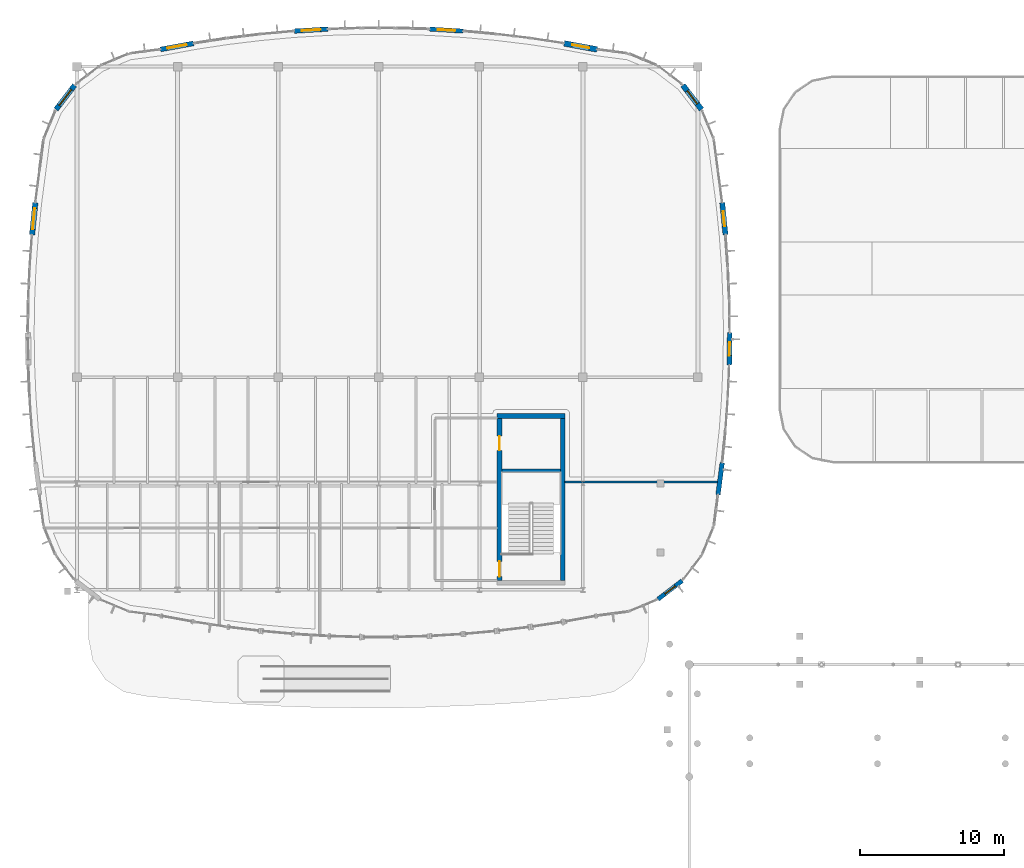
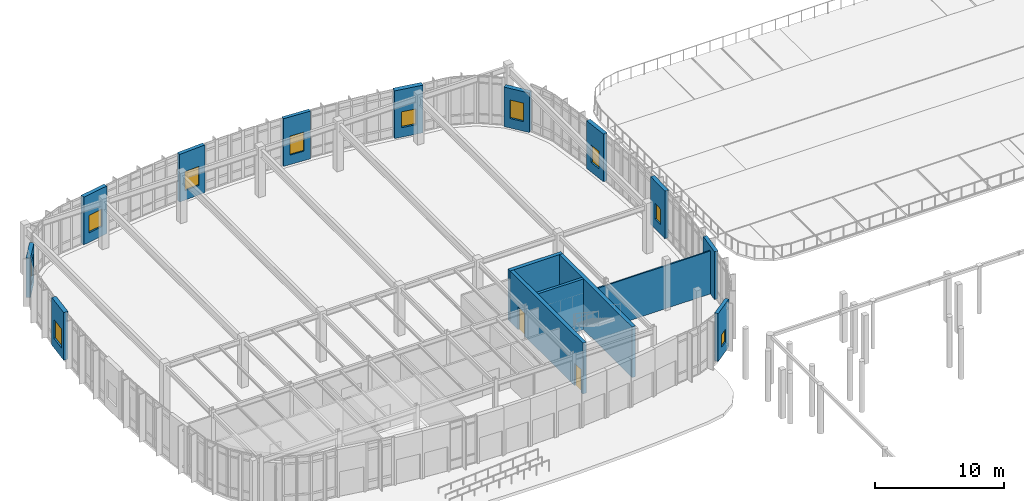
# One storey, part 92 of 120: 16 walls, 10 windows, 2 doors, 12 openings.
"""IFC4 building model written with IfcOpenShell, lengths in metres."""

from ifc_helpers import new_model, si_unit, direction, frame, frame_2d, origin, place, context, subcontext, project, spatial, rectangle, extrude, material, layer, layer_set, type_object, element, fill, save


model = new_model("IFC4")

# Units and contexts
model_context = context("Model", 3, precision=1e-05, world=origin(), true_north=direction((0.0, 1.0)))
body_context = subcontext(model_context, "Body", "Model", "MODEL_VIEW")
ifc_project = project(units=[si_unit("LENGTHUNIT", "METRE"), si_unit("AREAUNIT", "SQUARE_METRE"), si_unit("VOLUMEUNIT", "CUBIC_METRE"), si_unit("PLANEANGLEUNIT", "RADIAN"), si_unit("MASSUNIT", "GRAM", prefix="KILO")], contexts=[model_context])

# Site, building, storey
site_placement = place(None, origin())
site = spatial("IfcSite", under=ifc_project, at=site_placement, CompositionType="ELEMENT")
building_placement = place(site_placement, origin())
building = spatial("IfcBuilding", under=site, at=building_placement, Name="Corveleigh Park Community Centre", CompositionType="ELEMENT")
storey_placement = place(building_placement, origin())
storey = spatial("IfcBuildingStorey", under=building, at=storey_placement, Name="L00", CompositionType="ELEMENT", Elevation=0.0)

# Wall, opening, window
ifc_material_1 = material(Name="Precast concrete C40/50", Category="concrete")
ifc_layer_1 = layer(ifc_material_1, 0.300048828125, Name="Precast concrete C40/50", Category="concrete")
ifc_layer_set_1 = layer_set([ifc_layer_1], Name="Precast concrete C40/50")
wall_type_1 = type_object("IfcWallType", Name="WL-EXT-300", PredefinedType="STANDARD", material=ifc_layer_set_1)
wall_1_placement = place(storey_placement, frame((53.31494140625, 78.64111328125, 0.0), z_axis=(0.0, 0.0, 1.0), x_axis=(-0.793266846185, -0.608874133745, 0.0)))
wall_1 = element("IfcWall", 1, at=wall_1_placement, inside=storey, type_object=wall_type_1, Name="V2 L00 Precast Facade Wall", PredefinedType="STANDARD", context=body_context, shape_type="SweptSolid", body=[
    extrude(rectangle(XDim=2.13037109375, YDim=0.300048828125, at=frame_2d((1.065185546875, 0.0))), origin(), (0.0, 0.0, 1.0), 4.527099609375),
])
opening_1_placement = place(wall_1_placement, frame((0.614990234375, 0.0, 0.89990234375)))
opening_1 = element("IfcOpeningElement", 2, at=opening_1_placement, cuts=wall_1, Name="Opening W01", PredefinedType="OPENING", context=body_context, shape_type="SweptSolid", body=[
    extrude(rectangle(XDim=0.89990234375, YDim=1.199951171875, at=frame_2d((0.449951171875, 0.60009765625))), frame((0.0, 0.159912109375, 0.0), z_axis=(0.0, -1.0, 0.0), x_axis=(1.0, 0.0, 0.0)), (0.0, 0.0, 1.0), 0.320068359375),
])
ifc_material_2 = material(Name="Low-E double glazing", Category="glass")
window_type_1 = type_object("IfcWindowType", Name="WIN-EXT-0900x1200", PartitioningType="SINGLE_PANEL", PredefinedType="WINDOW", material=ifc_material_2)
window_1_placement = place(opening_1_placement, origin())
window_1 = element("IfcWindow", 3, at=window_1_placement, inside=storey, type_object=window_type_1, Name="V2 L00 Window 1", OverallHeight=1.199951171875, OverallWidth=0.89990234375, PartitioningType="SINGLE_PANEL", PredefinedType="WINDOW", context=body_context, shape_type="SweptSolid", body=[
    extrude(rectangle(XDim=0.89990234375, YDim=1.199951171875, at=frame_2d((0.449951171875, 0.60009765625))), frame((0.0, 0.030029296875, 0.0), z_axis=(0.0, -1.0, 0.0), x_axis=(1.0, 0.0, 0.0)), (0.0, 0.0, 1.0), 0.06005859375),
])
fill(opening_1, window_1)

wall_2_placement = place(storey_placement, frame((35.738037109375, 117.01806640625, 0.0), z_axis=(0.0, 0.0, 1.0), x_axis=(0.998197838409, -0.06000896096, 0.0)))
wall_2 = element("IfcWall", 4, at=wall_2_placement, inside=storey, type_object=wall_type_1, Name="V2 L00 Precast Facade Wall", PredefinedType="STANDARD", context=body_context, shape_type="SweptSolid", body=[
    extrude(rectangle(XDim=2.335205078125, YDim=0.300048828125, at=frame_2d((1.16748046875, 0.0))), origin(), (0.0, 0.0, 1.0), 4.511962890625),
])
opening_2_placement = place(wall_2_placement, frame((0.568115234375, 0.0, 0.89990234375)))
opening_2 = element("IfcOpeningElement", 5, at=opening_2_placement, cuts=wall_2, Name="Opening W06", PredefinedType="OPENING", context=body_context, shape_type="SweptSolid", body=[
    extrude(rectangle(XDim=1.199951171875, YDim=1.800048828125, at=frame_2d((0.60009765625, 0.89990234375))), frame((0.0, 0.159912109375, 0.0), z_axis=(0.0, -1.0, 0.0), x_axis=(1.0, 0.0, 0.0)), (0.0, 0.0, 1.0), 0.320068359375),
])
window_type_2 = type_object("IfcWindowType", Name="WIN-EXT-1200x1800", PartitioningType="SINGLE_PANEL", PredefinedType="WINDOW", material=ifc_material_2)
window_2_placement = place(opening_2_placement, origin())
window_2 = element("IfcWindow", 6, at=window_2_placement, inside=storey, type_object=window_type_2, Name="V2 L00 Window 6", OverallHeight=1.800048828125, OverallWidth=1.199951171875, PartitioningType="SINGLE_PANEL", PredefinedType="WINDOW", context=body_context, shape_type="SweptSolid", body=[
    extrude(rectangle(XDim=1.199951171875, YDim=1.800048828125, at=frame_2d((0.60009765625, 0.89990234375))), frame((0.0, 0.030029296875, 0.0), z_axis=(0.0, -1.0, 0.0), x_axis=(1.0, 0.0, 0.0)), (0.0, 0.0, 1.0), 0.06005859375),
])
fill(opening_2, window_2)

# Wall
ifc_layer_2 = layer(ifc_material_1, 0.320068359375, Name="Precast concrete C40/50", Category="concrete")
ifc_layer_set_2 = layer_set([ifc_layer_2], Name="Precast concrete C40/50")
wall_type_2 = type_object("IfcWallType", Name="WL-EXT-320", PredefinedType="STANDARD", material=ifc_layer_set_2)
wall_3_placement = place(storey_placement, frame((56.093994140625, 86.840087890625, 0.0), z_axis=(0.0, 0.0, 1.0), x_axis=(-0.130020067216, -0.991511362578, 0.0)))
element("IfcWall", 7, at=wall_3_placement, inside=storey, type_object=wall_type_2, Name="V2 L00 Precast Facade Wall", PredefinedType="STANDARD", context=body_context, shape_type="SweptSolid", body=[
    extrude(rectangle(XDim=2.253173828125, YDim=0.320068359375, at=frame_2d((1.12646484375, 0.0))), origin(), (0.0, 0.0, 1.0), 4.511962890625),
])

# Wall, opening, window
wall_4_placement = place(storey_placement, frame((26.3310546875, 116.8779296875, 0.0), z_axis=(0.0, 0.0, 1.0), x_axis=(0.998197838409, 0.06000896096, 0.0)))
wall_4 = element("IfcWall", 8, at=wall_4_placement, inside=storey, type_object=wall_type_2, Name="V2 L00 Precast Facade Wall", PredefinedType="STANDARD", context=body_context, shape_type="SweptSolid", body=[
    extrude(rectangle(XDim=2.335205078125, YDim=0.320068359375, at=frame_2d((1.16748046875, 0.0))), origin(), (0.0, 0.0, 1.0), 4.511962890625),
])
opening_3_placement = place(wall_4_placement, frame((0.51708984375, 0.0, 0.89990234375)))
opening_3 = element("IfcOpeningElement", 9, at=opening_3_placement, cuts=wall_4, Name="Opening W07", PredefinedType="OPENING", context=body_context, shape_type="SweptSolid", body=[
    extrude(rectangle(XDim=1.300048828125, YDim=1.800048828125, at=frame_2d((0.64990234375, 0.89990234375))), frame((0.0, 0.169921875, 0.0), z_axis=(0.0, -1.0, 0.0), x_axis=(1.0, 0.0, 0.0)), (0.0, 0.0, 1.0), 0.340087890625),
])
window_type_3 = type_object("IfcWindowType", Name="WIN-EXT-1300x1800", PartitioningType="SINGLE_PANEL", PredefinedType="WINDOW", material=ifc_material_2)
window_3_placement = place(opening_3_placement, origin())
window_3 = element("IfcWindow", 10, at=window_3_placement, inside=storey, type_object=window_type_3, Name="V2 L00 Window 7", OverallHeight=1.800048828125, OverallWidth=1.300048828125, PartitioningType="SINGLE_PANEL", PredefinedType="WINDOW", context=body_context, shape_type="SweptSolid", body=[
    extrude(rectangle(XDim=1.300048828125, YDim=1.800048828125, at=frame_2d((0.64990234375, 0.89990234375))), frame((0.0, 0.030029296875, 0.0), z_axis=(0.0, -1.0, 0.0), x_axis=(1.0, 0.0, 0.0)), (0.0, 0.0, 1.0), 0.06005859375),
])
fill(opening_3, window_3)

ifc_layer_3 = layer(ifc_material_1, 0.340087890625, Name="Precast concrete C40/50", Category="concrete")
ifc_layer_set_3 = layer_set([ifc_layer_3], Name="Precast concrete C40/50")
wall_type_3 = type_object("IfcWallType", Name="WL-EXT-340", PredefinedType="STANDARD", material=ifc_layer_set_3)
wall_5_placement = place(storey_placement, frame((56.6201171875, 95.89111328125, 0.0), z_axis=(0.0, 0.0, 1.0), x_axis=(-0.014755337916, -0.999891134076, 0.0)))
wall_5 = element("IfcWall", 11, at=wall_5_placement, inside=storey, type_object=wall_type_3, Name="V2 L00 Precast Facade Wall", PredefinedType="STANDARD", context=body_context, shape_type="SweptSolid", body=[
    extrude(rectangle(XDim=2.250244140625, YDim=0.340087890625, at=frame_2d((1.125, 0.0))), origin(), (0.0, 0.0, 1.0), 4.511962890625),
])
opening_4_placement = place(wall_5_placement, frame((0.64990234375, 0.0, 0.89990234375)))
opening_4 = element("IfcOpeningElement", 12, at=opening_4_placement, cuts=wall_5, Name="Opening W02", PredefinedType="OPENING", context=body_context, shape_type="SweptSolid", body=[
    extrude(rectangle(XDim=0.949951171875, YDim=1.5, at=frame_2d((0.47509765625, 0.75))), frame((0.0, 0.179931640625, 0.0), z_axis=(0.0, -1.0, 0.0), x_axis=(1.0, 0.0, 0.0)), (0.0, 0.0, 1.0), 0.360107421875),
])
window_type_4 = type_object("IfcWindowType", Name="WIN-EXT-0950x1500", PartitioningType="SINGLE_PANEL", PredefinedType="WINDOW", material=ifc_material_2)
window_4_placement = place(opening_4_placement, origin())
window_4 = element("IfcWindow", 13, at=window_4_placement, inside=storey, type_object=window_type_4, Name="V2 L00 Window 2", OverallHeight=1.5, OverallWidth=0.949951171875, PartitioningType="SINGLE_PANEL", PredefinedType="WINDOW", context=body_context, shape_type="SweptSolid", body=[
    extrude(rectangle(XDim=0.949951171875, YDim=1.5, at=frame_2d((0.47509765625, 0.75))), frame((0.0, 0.030029296875, 0.0), z_axis=(0.0, -1.0, 0.0), x_axis=(1.0, 0.0, 0.0)), (0.0, 0.0, 1.0), 0.06005859375),
])
fill(opening_4, window_4)

wall_6_placement = place(storey_placement, frame((17.010986328125, 115.60205078125, 0.0), z_axis=(0.0, 0.0, 1.0), x_axis=(0.983594181888, 0.180395358465, 0.0)))
wall_6 = element("IfcWall", 14, at=wall_6_placement, inside=storey, type_object=wall_type_3, Name="V2 L00 Precast Facade Wall", PredefinedType="STANDARD", context=body_context, shape_type="SweptSolid", body=[
    extrude(rectangle(XDim=2.333251953125, YDim=0.340087890625, at=frame_2d((1.16650390625, 0.0))), origin(), (0.0, 0.0, 1.0), 4.511962890625),
])
opening_5_placement = place(wall_6_placement, frame((0.491943359375, 0.0, 0.89990234375)))
opening_5 = element("IfcOpeningElement", 15, at=opening_5_placement, cuts=wall_6, Name="Opening W08", PredefinedType="OPENING", context=body_context, shape_type="SweptSolid", body=[
    extrude(rectangle(XDim=1.35009765625, YDim=1.64990234375, at=frame_2d((0.675048828125, 0.824951171875))), frame((0.0, 0.179931640625, 0.0), z_axis=(0.0, -1.0, 0.0), x_axis=(1.0, 0.0, 0.0)), (0.0, 0.0, 1.0), 0.360107421875),
])
window_type_5 = type_object("IfcWindowType", Name="WIN-EXT-1350x1650", PartitioningType="SINGLE_PANEL", PredefinedType="WINDOW", material=ifc_material_2)
window_5_placement = place(opening_5_placement, origin())
window_5 = element("IfcWindow", 16, at=window_5_placement, inside=storey, type_object=window_type_5, Name="V2 L00 Window 8", OverallHeight=1.64990234375, OverallWidth=1.35009765625, PartitioningType="SINGLE_PANEL", PredefinedType="WINDOW", context=body_context, shape_type="SweptSolid", body=[
    extrude(rectangle(XDim=1.35009765625, YDim=1.64990234375, at=frame_2d((0.675048828125, 0.824951171875))), frame((0.0, 0.030029296875, 0.0), z_axis=(0.0, -1.0, 0.0), x_axis=(1.0, 0.0, 0.0)), (0.0, 0.0, 1.0), 0.06005859375),
])
fill(opening_5, window_5)

ifc_layer_4 = layer(ifc_material_1, 0.360107421875, Name="Precast concrete C40/50", Category="concrete")
ifc_layer_set_4 = layer_set([ifc_layer_4], Name="Precast concrete C40/50")
wall_type_4 = type_object("IfcWallType", Name="WL-EXT-360", PredefinedType="STANDARD", material=ifc_layer_set_4)
wall_7_placement = place(storey_placement, frame((56.095947265625, 104.94189453125, 0.0), z_axis=(0.0, 0.0, 1.0), x_axis=(0.101373385498, -0.994848449118, 0.0)))
wall_7 = element("IfcWall", 17, at=wall_7_placement, inside=storey, type_object=wall_type_4, Name="V2 L00 Precast Facade Wall", PredefinedType="STANDARD", context=body_context, shape_type="SweptSolid", body=[
    extrude(rectangle(XDim=2.249267578125, YDim=0.360107421875, at=frame_2d((1.12451171875, 0.0))), origin(), (0.0, 0.0, 1.0), 4.511962890625),
])
opening_6_placement = place(wall_7_placement, frame((0.60009765625, 0.0, 0.89990234375)))
opening_6 = element("IfcOpeningElement", 18, at=opening_6_placement, cuts=wall_7, Name="Opening W03", PredefinedType="OPENING", context=body_context, shape_type="SweptSolid", body=[
    extrude(rectangle(XDim=1.050048828125, YDim=1.64990234375, at=frame_2d((0.52490234375, 0.824951171875))), frame((0.0, 0.18994140625, 0.0), z_axis=(0.0, -1.0, 0.0), x_axis=(1.0, 0.0, 0.0)), (0.0, 0.0, 1.0), 0.380126953125),
])
window_type_6 = type_object("IfcWindowType", Name="WIN-EXT-1050x1650", PartitioningType="SINGLE_PANEL", PredefinedType="WINDOW", material=ifc_material_2)
window_6_placement = place(opening_6_placement, origin())
window_6 = element("IfcWindow", 19, at=window_6_placement, inside=storey, type_object=window_type_6, Name="V2 L00 Window 3", OverallHeight=1.64990234375, OverallWidth=1.050048828125, PartitioningType="SINGLE_PANEL", PredefinedType="WINDOW", context=body_context, shape_type="SweptSolid", body=[
    extrude(rectangle(XDim=1.050048828125, YDim=1.64990234375, at=frame_2d((0.52490234375, 0.824951171875))), frame((0.0, 0.030029296875, 0.0), z_axis=(0.0, -1.0, 0.0), x_axis=(1.0, 0.0, 0.0)), (0.0, 0.0, 1.0), 0.06005859375),
])
fill(opening_6, window_6)

wall_8_placement = place(storey_placement, frame((9.743896484375, 111.425048828125, 0.0), z_axis=(0.0, 0.0, 1.0), x_axis=(0.608874133745, 0.793266846185, 0.0)))
wall_8 = element("IfcWall", 20, at=wall_8_placement, inside=storey, type_object=wall_type_4, Name="V2 L00 Precast Facade Wall", PredefinedType="STANDARD", context=body_context, shape_type="SweptSolid", body=[
    extrude(rectangle(XDim=2.13037109375, YDim=0.360107421875, at=frame_2d((1.065185546875, 0.0))), origin(), (0.0, 0.0, 1.0), 3.738037109375),
])
opening_7_placement = place(wall_8_placement, frame((0.364990234375, 0.0, 0.89990234375)))
opening_7 = element("IfcOpeningElement", 21, at=opening_7_placement, cuts=wall_8, Name="Opening W09", PredefinedType="OPENING", context=body_context, shape_type="SweptSolid", body=[
    extrude(rectangle(XDim=1.39990234375, YDim=2.050048828125, at=frame_2d((0.699951171875, 1.02490234375))), frame((0.0, 0.18994140625, 0.0), z_axis=(0.0, -1.0, 0.0), x_axis=(1.0, 0.0, 0.0)), (0.0, 0.0, 1.0), 0.380126953125),
])
window_type_7 = type_object("IfcWindowType", Name="WIN-EXT-1400x2050", PartitioningType="SINGLE_PANEL", PredefinedType="WINDOW", material=ifc_material_2)
window_7_placement = place(opening_7_placement, origin())
window_7 = element("IfcWindow", 22, at=window_7_placement, inside=storey, type_object=window_type_7, Name="V2 L00 Window 9", OverallHeight=2.050048828125, OverallWidth=1.39990234375, PartitioningType="SINGLE_PANEL", PredefinedType="WINDOW", context=body_context, shape_type="SweptSolid", body=[
    extrude(rectangle(XDim=1.39990234375, YDim=2.050048828125, at=frame_2d((0.699951171875, 1.02490234375))), frame((0.0, 0.030029296875, 0.0), z_axis=(0.0, -1.0, 0.0), x_axis=(1.0, 0.0, 0.0)), (0.0, 0.0, 1.0), 0.06005859375),
])
fill(opening_7, window_7)

ifc_layer_5 = layer(ifc_material_1, 0.3798828125, Name="Precast concrete C40/50", Category="concrete")
ifc_layer_set_5 = layer_set([ifc_layer_5], Name="Precast concrete C40/50")
wall_type_5 = type_object("IfcWallType", Name="WL-EXT-380", PredefinedType="STANDARD", material=ifc_layer_set_5)
wall_9_placement = place(storey_placement, frame((53.35888671875, 113.114990234375, 0.0), z_axis=(0.0, 0.0, 1.0), x_axis=(0.608874133745, -0.793266846185, 0.0)))
wall_9 = element("IfcWall", 23, at=wall_9_placement, inside=storey, type_object=wall_type_5, Name="V2 L00 Precast Facade Wall", PredefinedType="STANDARD", context=body_context, shape_type="SweptSolid", body=[
    extrude(rectangle(XDim=2.13037109375, YDim=0.3798828125, at=frame_2d((1.065185546875, 0.0))), origin(), (0.0, 0.0, 1.0), 3.738037109375),
])
opening_8_placement = place(wall_9_placement, frame((0.489990234375, 0.0, 0.89990234375)))
opening_8 = element("IfcOpeningElement", 24, at=opening_8_placement, cuts=wall_9, Name="Opening W04", PredefinedType="OPENING", context=body_context, shape_type="SweptSolid", body=[
    extrude(rectangle(XDim=1.14990234375, YDim=1.75, at=frame_2d((0.574951171875, 0.875))), frame((0.0, 0.199951171875, 0.0), z_axis=(0.0, -1.0, 0.0), x_axis=(1.0, 0.0, 0.0)), (0.0, 0.0, 1.0), 0.39990234375),
])
window_type_8 = type_object("IfcWindowType", Name="WIN-EXT-1150x1750", PartitioningType="SINGLE_PANEL", PredefinedType="WINDOW", material=ifc_material_2)
window_8_placement = place(opening_8_placement, origin())
window_8 = element("IfcWindow", 25, at=window_8_placement, inside=storey, type_object=window_type_8, Name="V2 L00 Window 4", OverallHeight=1.75, OverallWidth=1.14990234375, PartitioningType="SINGLE_PANEL", PredefinedType="WINDOW", context=body_context, shape_type="SweptSolid", body=[
    extrude(rectangle(XDim=1.14990234375, YDim=1.75, at=frame_2d((0.574951171875, 0.875))), frame((0.0, 0.030029296875, 0.0), z_axis=(0.0, -1.0, 0.0), x_axis=(1.0, 0.0, 0.0)), (0.0, 0.0, 1.0), 0.06005859375),
])
fill(opening_8, window_8)

wall_10_placement = place(storey_placement, frame((8.075927734375, 102.7041015625, 0.0), z_axis=(0.0, 0.0, 1.0), x_axis=(0.101373385498, 0.994848449118, 0.0)))
wall_10 = element("IfcWall", 26, at=wall_10_placement, inside=storey, type_object=wall_type_5, Name="V2 L00 Precast Facade Wall", PredefinedType="STANDARD", context=body_context, shape_type="SweptSolid", body=[
    extrude(rectangle(XDim=2.249267578125, YDim=0.3798828125, at=frame_2d((1.12451171875, 0.0))), origin(), (0.0, 0.0, 1.0), 4.511962890625),
])
opening_9_placement = place(wall_10_placement, frame((0.39990234375, 0.0, 0.89990234375)))
opening_9 = element("IfcOpeningElement", 27, at=opening_9_placement, cuts=wall_10, Name="Opening W10", PredefinedType="OPENING", context=body_context, shape_type="SweptSolid", body=[
    extrude(rectangle(XDim=1.449951171875, YDim=1.800048828125, at=frame_2d((0.72509765625, 0.89990234375))), frame((0.0, 0.199951171875, 0.0), z_axis=(0.0, -1.0, 0.0), x_axis=(1.0, 0.0, 0.0)), (0.0, 0.0, 1.0), 0.39990234375),
])
window_type_9 = type_object("IfcWindowType", Name="WIN-EXT-1450x1800", PartitioningType="SINGLE_PANEL", PredefinedType="WINDOW", material=ifc_material_2)
window_9_placement = place(opening_9_placement, origin())
window_9 = element("IfcWindow", 28, at=window_9_placement, inside=storey, type_object=window_type_9, Name="V2 L00 Window 10", OverallHeight=1.800048828125, OverallWidth=1.449951171875, PartitioningType="SINGLE_PANEL", PredefinedType="WINDOW", context=body_context, shape_type="SweptSolid", body=[
    extrude(rectangle(XDim=1.449951171875, YDim=1.800048828125, at=frame_2d((0.72509765625, 0.89990234375))), frame((0.0, 0.030029296875, 0.0), z_axis=(0.0, -1.0, 0.0), x_axis=(1.0, 0.0, 0.0)), (0.0, 0.0, 1.0), 0.06005859375),
])
fill(opening_9, window_9)

ifc_material_3 = material(Name="Concrete C40/50", Category="concrete")
ifc_layer_6 = layer(ifc_material_3, 0.39990234375, Name="Concrete C40/50", Category="concrete")
ifc_layer_set_6 = layer_set([ifc_layer_6], Name="Concrete C40/50")
wall_type_6 = type_object("IfcWallType", Name="WL-EXT-400", PredefinedType="STANDARD", material=ifc_layer_set_6)
wall_11_placement = place(storey_placement, frame((45.093994140625, 116.02294921875, 0.0), z_axis=(0.0, 0.0, 1.0), x_axis=(0.983594181888, -0.180395358465, 0.0)))
wall_11 = element("IfcWall", 29, at=wall_11_placement, inside=storey, type_object=wall_type_6, Name="V2 L00 Precast Facade Wall", PredefinedType="STANDARD", context=body_context, shape_type="SweptSolid", body=[
    extrude(rectangle(XDim=2.333251953125, YDim=0.39990234375, at=frame_2d((1.16650390625, 0.0))), origin(), (0.0, 0.0, 1.0), 4.511962890625),
])
opening_10_placement = place(wall_11_placement, frame((0.56689453125, 0.0, 0.89990234375)))
opening_10 = element("IfcOpeningElement", 30, at=opening_10_placement, cuts=wall_11, Name="Opening W05", PredefinedType="OPENING", context=body_context, shape_type="SweptSolid", body=[
    extrude(rectangle(XDim=1.199951171875, YDim=1.5, at=frame_2d((0.60009765625, 0.75))), frame((0.0, 0.2099609375, 0.0), z_axis=(0.0, -1.0, 0.0), x_axis=(1.0, 0.0, 0.0)), (0.0, 0.0, 1.0), 0.419921875),
])
window_type_10 = type_object("IfcWindowType", Name="WIN-EXT-1200x1500", PartitioningType="SINGLE_PANEL", PredefinedType="WINDOW", material=ifc_material_2)
window_10_placement = place(opening_10_placement, origin())
window_10 = element("IfcWindow", 31, at=window_10_placement, inside=storey, type_object=window_type_10, Name="V2 L00 Window 5", OverallHeight=1.5, OverallWidth=1.199951171875, PartitioningType="SINGLE_PANEL", PredefinedType="WINDOW", context=body_context, shape_type="SweptSolid", body=[
    extrude(rectangle(XDim=1.199951171875, YDim=1.5, at=frame_2d((0.60009765625, 0.75))), frame((0.0, 0.030029296875, 0.0), z_axis=(0.0, -1.0, 0.0), x_axis=(1.0, 0.0, 0.0)), (0.0, 0.0, 1.0), 0.06005859375),
])
fill(opening_10, window_10)

# Walls
ifc_material_4 = material(Name="Gypsum acoustic stud partition", Category="gypsum")
ifc_layer_7 = layer(ifc_material_4, 0.125, Name="Gypsum acoustic stud partition", Category="gypsum")
ifc_layer_set_7 = layer_set([ifc_layer_7], Name="Gypsum acoustic stud partition")
wall_type_7 = type_object("IfcWallType", Name="WL-PRT-125", PredefinedType="PARTITIONING", material=ifc_layer_set_7)
wall_12_placement = place(storey_placement, frame((55.76904296875, 85.5, 0.0), z_axis=(0.0, 0.0, 1.0), x_axis=(-1.0, 0.0, 0.0)))
element("IfcWall", 32, at=wall_12_placement, inside=storey, type_object=wall_type_7, Name="Community Sports Hall corridor wall", PredefinedType="PARTITIONING", context=body_context, shape_type="SweptSolid", body=[
    extrude(rectangle(XDim=10.6181640625, YDim=0.125, at=frame_2d((5.30908203125, 0.0))), origin(), (0.0, 0.0, 1.0), 4.05810546875),
])
ifc_layer_8 = layer(ifc_material_3, 0.25, Name="Concrete C40/50", Category="concrete")
ifc_layer_set_8 = layer_set([ifc_layer_8], Name="Concrete C40/50")
wall_type_8 = type_object("IfcWallType", Name="WL-SHR-250", PredefinedType="SHEAR", material=ifc_layer_set_8)
wall_13_placement = place(storey_placement, frame((40.762939453125, 86.300048828125, 0.0), z_axis=(0.0, 0.0, 1.0), x_axis=(1.0, 0.0, 0.0)))
element("IfcWall", 33, at=wall_13_placement, inside=storey, type_object=wall_type_8, Name="CORE3 shaft wall", PredefinedType="SHEAR", context=body_context, shape_type="SweptSolid", body=[
    extrude(rectangle(XDim=4.073974609375, YDim=0.25, at=frame_2d((2.037109375, 0.0))), origin(), (0.0, 0.0, 1.0), 4.800048828125),
])
ifc_layer_9 = layer(ifc_material_3, 0.324951171875, Name="Concrete C40/50", Category="concrete")
ifc_layer_set_9 = layer_set([ifc_layer_9], Name="Concrete C40/50")
wall_type_9 = type_object("IfcWallType", Name="WL-SHR-325", PredefinedType="SHEAR", material=ifc_layer_set_9)
wall_14_placement = place(storey_placement, frame((45.0, 78.662109375, 0.0), z_axis=(0.0, 0.0, 1.0), x_axis=(0.0, 1.0, 0.0)))
element("IfcWall", 34, at=wall_14_placement, inside=storey, type_object=wall_type_9, Name="CORE3 east shear wall", PredefinedType="SHEAR", context=body_context, shape_type="SweptSolid", body=[
    extrude(rectangle(XDim=11.27587890625, YDim=0.324951171875, at=frame_2d((5.637939453125, 0.0))), origin(), (0.0, 0.0, 1.0), 4.800048828125),
])
wall_15_placement = place(storey_placement, frame((45.1630859375, 90.10009765625, 0.0), z_axis=(0.0, 0.0, 1.0), x_axis=(-1.0, 0.0, 0.0)))
element("IfcWall", 35, at=wall_15_placement, inside=storey, type_object=wall_type_9, Name="CORE3 north shear wall", PredefinedType="SHEAR", context=body_context, shape_type="SweptSolid", body=[
    extrude(rectangle(XDim=4.72509765625, YDim=0.324951171875, at=frame_2d((2.362548828125, 0.0))), origin(), (0.0, 0.0, 1.0), 4.800048828125),
])

# Wall, openings, doors
wall_16_placement = place(storey_placement, frame((40.60009765625, 89.93798828125, 0.0), z_axis=(0.0, 0.0, 1.0), x_axis=(0.0, -1.0, 0.0)))
wall_16 = element("IfcWall", 36, at=wall_16_placement, inside=storey, type_object=wall_type_9, Name="CORE3 west lobby wall", PredefinedType="SHEAR", context=body_context, shape_type="SweptSolid", body=[
    extrude(rectangle(XDim=11.27587890625, YDim=0.324951171875, at=frame_2d((5.637939453125, 0.0))), origin(), (0.0, 0.0, 1.0), 4.800048828125),
])
opening_11_placement = place(wall_16_placement, frame((1.238037109375, 0.0, 0.0)))
opening_11 = element("IfcOpeningElement", 37, at=opening_11_placement, cuts=wall_16, Name="Opening LD02", PredefinedType="OPENING", context=body_context, shape_type="SweptSolid", body=[
    extrude(rectangle(XDim=1.0, YDim=2.14990234375, at=frame_2d((0.5, 1.074951171875))), frame((0.0, 0.17236328125, 0.0), z_axis=(0.0, -1.0, 0.0), x_axis=(1.0, 0.0, 0.0)), (0.0, 0.0, 1.0), 0.344970703125),
])
opening_12_placement = place(wall_16_placement, frame((9.9580078125, 0.0, 0.0)))
opening_12 = element("IfcOpeningElement", 38, at=opening_12_placement, cuts=wall_16, Name="Opening FD04", PredefinedType="OPENING", context=body_context, shape_type="SweptSolid", body=[
    extrude(rectangle(XDim=1.06005859375, YDim=2.14990234375, at=frame_2d((0.530029296875, 1.074951171875))), frame((0.0, 0.17236328125, 0.0), z_axis=(0.0, -1.0, 0.0), x_axis=(1.0, 0.0, 0.0)), (0.0, 0.0, 1.0), 0.344970703125),
])
ifc_material_5 = material(Name="Hardwood acoustic door leaf", Category="wood")
door_type_1 = type_object("IfcDoorType", Name="DR-FIR-1060x2150", OperationType="NOTDEFINED", PredefinedType="DOOR", material=ifc_material_5)
door_1_placement = place(opening_12_placement, origin())
door_1 = element("IfcDoor", 39, at=door_1_placement, inside=storey, type_object=door_type_1, Name="Stair ST3 fire door L00", OperationType="SINGLE_SWING_RIGHT", OverallHeight=2.14990234375, OverallWidth=1.06005859375, PredefinedType="DOOR", context=body_context, shape_type="SweptSolid", body=[
    extrude(rectangle(XDim=1.06005859375, YDim=2.14990234375, at=frame_2d((0.530029296875, 1.074951171875))), frame((0.0, 0.02490234375, 0.0), z_axis=(0.0, -1.0, 0.0), x_axis=(1.0, 0.0, 0.0)), (0.0, 0.0, 1.0), 0.050048828125),
])
fill(opening_12, door_1)
ifc_material_6 = material(Name="Brushed stainless steel lift car", Category="steel")
door_type_2 = type_object("IfcDoorType", Name="DR-LFT-1000x2150", OperationType="SLIDING_TO_LEFT", PredefinedType="DOOR", material=ifc_material_6)
door_2_placement = place(opening_11_placement, origin())
door_2 = element("IfcDoor", 40, at=door_2_placement, inside=storey, type_object=door_type_2, Name="Lift PL1 landing door L00", OperationType="SLIDING_TO_LEFT", OverallHeight=2.14990234375, OverallWidth=1.0, PredefinedType="DOOR", context=body_context, shape_type="SweptSolid", body=[
    extrude(rectangle(XDim=1.0, YDim=2.14990234375, at=frame_2d((0.5, 1.074951171875))), frame((0.0, 0.02490234375, 0.0), z_axis=(0.0, -1.0, 0.0), x_axis=(1.0, 0.0, 0.0)), (0.0, 0.0, 1.0), 0.050048828125),
])
fill(opening_11, door_2)

save(model, "model.ifc")
